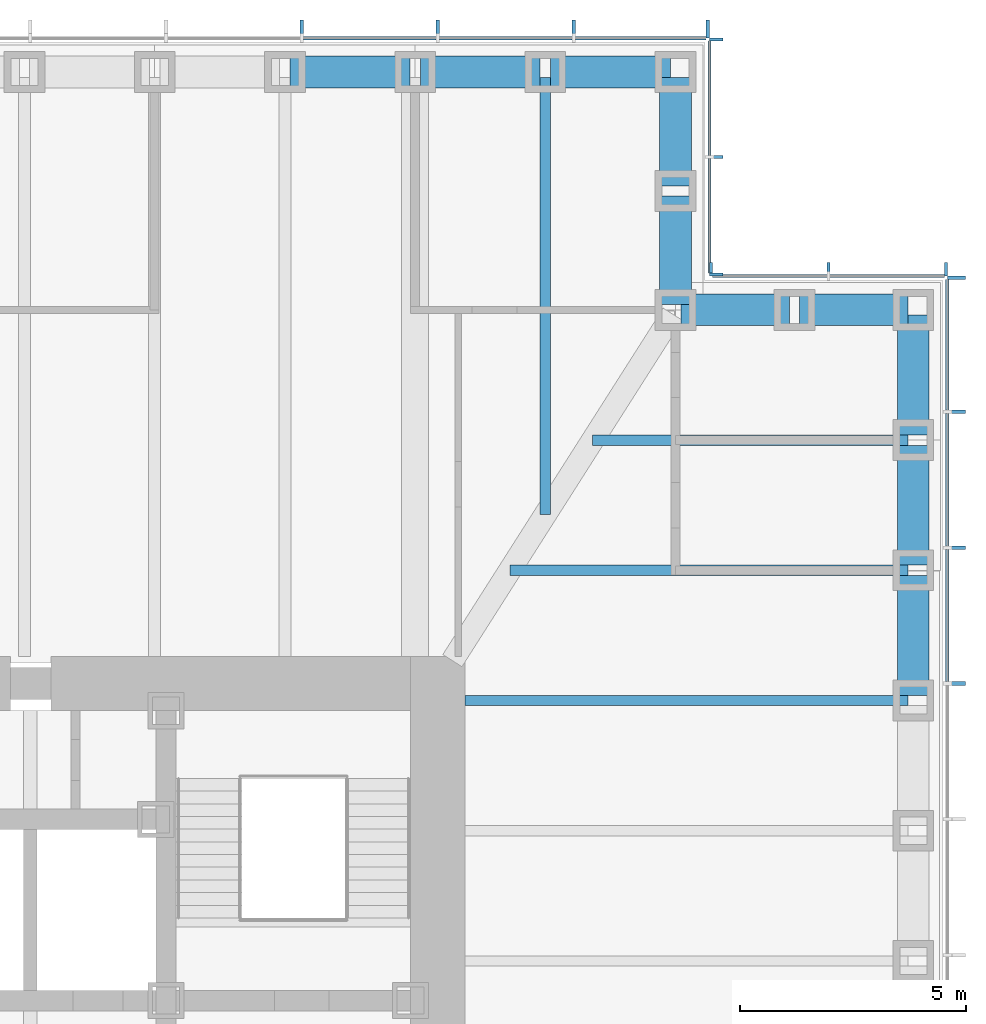
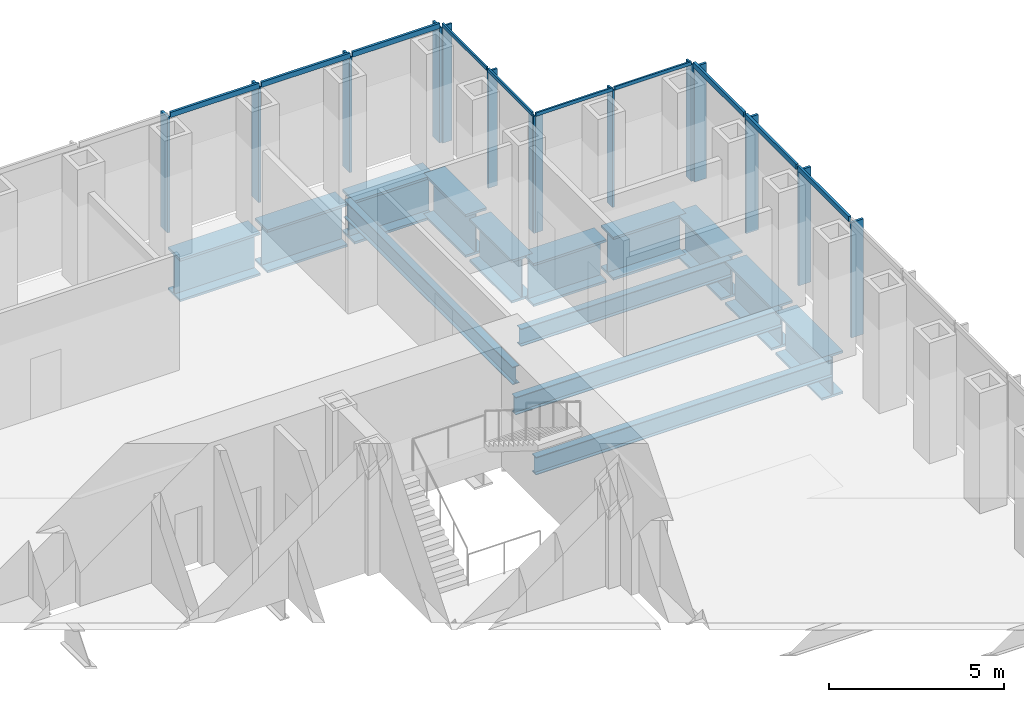
# One storey, part 6 of 17: 24 members, 14 beams, 4 elements without a shape of their own.
"""IFC4 building model written with IfcOpenShell, lengths in metres."""

from ifc_helpers import new_model, si_unit, direction, frame, origin, origin_2d, place, context, subcontext, project, spatial, rectangle, i_section, extrude, material, material_profile, profile_set, type_object, element, aggregate, save


model = new_model("IFC4")

# Units and contexts
model_context = context("Model", 3, precision=1e-05, world=origin(), true_north=direction((0.0, 1.0)))
body_context = subcontext(model_context, "Body", "Model", "MODEL_VIEW")
ifc_project = project(units=[si_unit("LENGTHUNIT", "METRE"), si_unit("AREAUNIT", "SQUARE_METRE"), si_unit("VOLUMEUNIT", "CUBIC_METRE"), si_unit("PLANEANGLEUNIT", "RADIAN"), si_unit("MASSUNIT", "GRAM", prefix="KILO")], contexts=[model_context])

# Site, building, storey
site_placement = place(None, origin())
site = spatial("IfcSite", under=ifc_project, at=site_placement, CompositionType="ELEMENT")
building_placement = place(site_placement, origin())
building = spatial("IfcBuilding", under=site, at=building_placement, Name="Daluyong Arena Tower", CompositionType="ELEMENT")
storey_placement = place(building_placement, frame((0.0, 0.0, 129.10009765625)))
storey = spatial("IfcBuildingStorey", under=building, at=storey_placement, Name="L28", CompositionType="ELEMENT", Elevation=129.10009765625)

# Curtain wall, members
ifc_material_1 = material(Name="Bronze anodised aluminium and glass", Category="aluminium")
curtain_wall_type_1 = type_object("IfcCurtainWallType", Name="Curtain wall CW2", PredefinedType="USERDEFINED", material=ifc_material_1)
curtain_wall_1_placement = place(storey_placement, origin())
curtain_wall_1 = element("IfcCurtainWall", 1, at=curtain_wall_1_placement, inside=storey, type_object=curtain_wall_type_1, Name="curtain wall L28 E", ObjectType="UNITISED CURTAIN WALL", PredefinedType="USERDEFINED")
ifc_material_2 = material(Name="Bronze anodised aluminium fin", Category="aluminium")
ifc_material_profile_1 = material_profile(ifc_material_2, rectangle(XDim=0.39990234375, YDim=0.080078125, at=origin_2d()))
ifc_profile_set_1 = profile_set([ifc_material_profile_1], Name="Bronze anodised aluminium fin")
member_type_1 = type_object("IfcMemberType", Name="CW2 bronze fin 400x80", PredefinedType="MULLION", material=ifc_profile_set_1)
member_1_placement = place(storey_placement, frame((79.449951171875, 89.0, 0.0), z_axis=(0.0, 0.0, 1.0), x_axis=(-1.0, 0.0, 0.0)))
member_1 = element("IfcMember", 2, at=member_1_placement, type_object=member_type_1, Name="curtain wall L28 E fin 10", PredefinedType="MULLION", context=body_context, shape_type="SweptSolid", body=[
    extrude(rectangle(XDim=0.39990234375, YDim=0.080078125, at=origin_2d()), origin(), (0.0, 0.0, 1.0), 4.02001953125),
])
member_2_placement = place(storey_placement, frame((79.449951171875, 92.0, 0.0), z_axis=(0.0, 0.0, 1.0), x_axis=(-1.0, 0.0, 0.0)))
member_2 = element("IfcMember", 3, at=member_2_placement, type_object=member_type_1, Name="curtain wall L28 E fin 11", PredefinedType="MULLION", context=body_context, shape_type="SweptSolid", body=[
    extrude(rectangle(XDim=0.39990234375, YDim=0.080078125, at=origin_2d()), origin(), (0.0, 0.0, 1.0), 4.02001953125),
])
member_3_placement = place(storey_placement, frame((79.449951171875, 95.0, 0.0), z_axis=(0.0, 0.0, 1.0), x_axis=(-1.0, 0.0, 0.0)))
member_3 = element("IfcMember", 4, at=member_3_placement, type_object=member_type_1, Name="curtain wall L28 E fin 12", PredefinedType="MULLION", context=body_context, shape_type="SweptSolid", body=[
    extrude(rectangle(XDim=0.39990234375, YDim=0.080078125, at=origin_2d()), origin(), (0.0, 0.0, 1.0), 4.02001953125),
])
member_4_placement = place(storey_placement, frame((79.449951171875, 97.9599609375, 0.0), z_axis=(0.0, 0.0, 1.0), x_axis=(-1.0, 0.0, 0.0)))
member_4 = element("IfcMember", 5, at=member_4_placement, type_object=member_type_1, Name="curtain wall L28 E fin 13", PredefinedType="MULLION", context=body_context, shape_type="SweptSolid", body=[
    extrude(rectangle(XDim=0.39990234375, YDim=0.080078125, at=origin_2d()), origin(), (0.0, 0.0, 1.0), 4.02001953125),
])

curtain_wall_2_placement = place(storey_placement, origin())
curtain_wall_2 = element("IfcCurtainWall", 6, at=curtain_wall_2_placement, inside=storey, type_object=curtain_wall_type_1, Name="curtain wall L28 N", ObjectType="UNITISED CURTAIN WALL", PredefinedType="USERDEFINED")
member_5_placement = place(storey_placement, frame((73.9599609375, 103.449951171875, 0.0), z_axis=(0.0, 0.0, 1.0), x_axis=(0.0, -1.0, 0.0)))
member_5 = element("IfcMember", 7, at=member_5_placement, type_object=member_type_1, Name="curtain wall L28 N fin 1", PredefinedType="MULLION", context=body_context, shape_type="SweptSolid", body=[
    extrude(rectangle(XDim=0.39990234375, YDim=0.080078125, at=origin_2d()), origin(), (0.0, 0.0, 1.0), 4.02001953125),
])
member_6_placement = place(storey_placement, frame((71.0, 103.449951171875, 0.0), z_axis=(0.0, 0.0, 1.0), x_axis=(0.0, -1.0, 0.0)))
member_6 = element("IfcMember", 8, at=member_6_placement, type_object=member_type_1, Name="curtain wall L28 N fin 2", PredefinedType="MULLION", context=body_context, shape_type="SweptSolid", body=[
    extrude(rectangle(XDim=0.39990234375, YDim=0.080078125, at=origin_2d()), origin(), (0.0, 0.0, 1.0), 4.02001953125),
])
member_7_placement = place(storey_placement, frame((68.0, 103.449951171875, 0.0), z_axis=(0.0, 0.0, 1.0), x_axis=(0.0, -1.0, 0.0)))
member_7 = element("IfcMember", 9, at=member_7_placement, type_object=member_type_1, Name="curtain wall L28 N fin 3", PredefinedType="MULLION", context=body_context, shape_type="SweptSolid", body=[
    extrude(rectangle(XDim=0.39990234375, YDim=0.080078125, at=origin_2d()), origin(), (0.0, 0.0, 1.0), 4.02001953125),
])
member_8_placement = place(storey_placement, frame((65.0, 103.449951171875, 0.0), z_axis=(0.0, 0.0, 1.0), x_axis=(0.0, -1.0, 0.0)))
member_8 = element("IfcMember", 10, at=member_8_placement, type_object=member_type_1, Name="curtain wall L28 N fin 4", PredefinedType="MULLION", context=body_context, shape_type="SweptSolid", body=[
    extrude(rectangle(XDim=0.39990234375, YDim=0.080078125, at=origin_2d()), origin(), (0.0, 0.0, 1.0), 4.02001953125),
])

# Member
ifc_material_3 = material(Name="Bronze anodised aluminium", Category="aluminium")
ifc_material_profile_2 = material_profile(ifc_material_3, rectangle(XDim=0.080078125, YDim=0.179931640625, at=origin_2d()))
ifc_profile_set_2 = profile_set([ifc_material_profile_2], Name="Bronze anodised aluminium")
member_type_2 = type_object("IfcMemberType", Name="CW2 stack transom 180x80", PredefinedType="USERDEFINED", material=ifc_profile_set_2)
member_9_placement = place(storey_placement, frame((79.25, 89.0400390625, 4.10986328125), z_axis=(0.0, 1.0, 0.0), x_axis=(-1.0, 0.0, 0.0)))
member_9 = element("IfcMember", 11, at=member_9_placement, type_object=member_type_2, Name="curtain wall L28 E transom 10", ObjectType="TRANSOM", PredefinedType="USERDEFINED", context=body_context, shape_type="SweptSolid", body=[
    extrude(rectangle(XDim=0.080078125, YDim=0.179931640625, at=origin_2d()), origin(), (0.0, 0.0, 1.0), 2.919921875),
])

member_10_placement = place(storey_placement, frame((79.25, 92.0400390625, 4.10986328125), z_axis=(0.0, 1.0, 0.0), x_axis=(-1.0, 0.0, 0.0)))
member_10 = element("IfcMember", 12, at=member_10_placement, type_object=member_type_2, Name="curtain wall L28 E transom 11", ObjectType="TRANSOM", PredefinedType="USERDEFINED", context=body_context, shape_type="SweptSolid", body=[
    extrude(rectangle(XDim=0.080078125, YDim=0.179931640625, at=origin_2d()), origin(), (0.0, 0.0, 1.0), 2.919921875),
])

member_11_placement = place(storey_placement, frame((79.25, 95.0400390625, 4.10986328125), z_axis=(0.0, 1.0, 0.0), x_axis=(-1.0, 0.0, 0.0)))
member_11 = element("IfcMember", 13, at=member_11_placement, type_object=member_type_2, Name="curtain wall L28 E transom 12", ObjectType="TRANSOM", PredefinedType="USERDEFINED", context=body_context, shape_type="SweptSolid", body=[
    extrude(rectangle(XDim=0.080078125, YDim=0.179931640625, at=origin_2d()), origin(), (0.0, 0.0, 1.0), 2.8798828125),
])

aggregate(curtain_wall_1, [member_1, member_2, member_3, member_4, member_9, member_10, member_11])

member_12_placement = place(storey_placement, frame((73.919921875, 103.25, 4.10986328125), z_axis=(-1.0, 0.0, 0.0), x_axis=(0.0, -1.0, 0.0)))
member_12 = element("IfcMember", 14, at=member_12_placement, type_object=member_type_2, Name="curtain wall L28 N transom 1", ObjectType="TRANSOM", PredefinedType="USERDEFINED", context=body_context, shape_type="SweptSolid", body=[
    extrude(rectangle(XDim=0.080078125, YDim=0.179931640625, at=origin_2d()), origin(), (0.0, 0.0, 1.0), 2.8798828125),
])

member_13_placement = place(storey_placement, frame((70.9599609375, 103.25, 4.10986328125), z_axis=(-1.0, 0.0, 0.0), x_axis=(0.0, -1.0, 0.0)))
member_13 = element("IfcMember", 15, at=member_13_placement, type_object=member_type_2, Name="curtain wall L28 N transom 2", ObjectType="TRANSOM", PredefinedType="USERDEFINED", context=body_context, shape_type="SweptSolid", body=[
    extrude(rectangle(XDim=0.080078125, YDim=0.179931640625, at=origin_2d()), origin(), (0.0, 0.0, 1.0), 2.919921875),
])

member_14_placement = place(storey_placement, frame((67.9599609375, 103.25, 4.10986328125), z_axis=(-1.0, 0.0, 0.0), x_axis=(0.0, -1.0, 0.0)))
member_14 = element("IfcMember", 16, at=member_14_placement, type_object=member_type_2, Name="curtain wall L28 N transom 3", ObjectType="TRANSOM", PredefinedType="USERDEFINED", context=body_context, shape_type="SweptSolid", body=[
    extrude(rectangle(XDim=0.080078125, YDim=0.179931640625, at=origin_2d()), origin(), (0.0, 0.0, 1.0), 2.919921875),
])

aggregate(curtain_wall_2, [member_5, member_6, member_7, member_8, member_12, member_13, member_14])

# Curtain wall, members
ifc_material_4 = material(Name="Bronze anodised aluminium and glass", Category="aluminium")
curtain_wall_type_2 = type_object("IfcCurtainWallType", Name="Curtain wall CW7", PredefinedType="USERDEFINED", material=ifc_material_4)
curtain_wall_3_placement = place(storey_placement, origin())
curtain_wall_3 = element("IfcCurtainWall", 17, at=curtain_wall_3_placement, inside=storey, type_object=curtain_wall_type_2, Name="curtain wall L28 NE-N", ObjectType="UNITISED CURTAIN WALL", PredefinedType="USERDEFINED")
ifc_material_5 = material(Name="Bronze anodised aluminium fin", Category="aluminium")
ifc_material_profile_3 = material_profile(ifc_material_5, rectangle(XDim=0.300048828125, YDim=0.06005859375, at=origin_2d()))
ifc_profile_set_3 = profile_set([ifc_material_profile_3], Name="Bronze anodised aluminium fin")
member_type_3 = type_object("IfcMemberType", Name="CW7 bronze fin 300x60", PredefinedType="MULLION", material=ifc_profile_set_3)
member_15_placement = place(storey_placement, frame((79.219970703125, 98.14990234375, 0.0), z_axis=(0.0, 0.0, 1.0), x_axis=(0.0, -1.0, 0.0)))
member_15 = element("IfcMember", 18, at=member_15_placement, type_object=member_type_3, Name="curtain wall L28 NE-N fin 1", PredefinedType="MULLION", context=body_context, shape_type="SweptSolid", body=[
    extrude(rectangle(XDim=0.300048828125, YDim=0.06005859375, at=origin_2d()), origin(), (0.0, 0.0, 1.0), 4.079833984375),
])
member_16_placement = place(storey_placement, frame((76.625, 98.14990234375, 0.0), z_axis=(0.0, 0.0, 1.0), x_axis=(0.0, -1.0, 0.0)))
member_16 = element("IfcMember", 19, at=member_16_placement, type_object=member_type_3, Name="curtain wall L28 NE-N fin 2", PredefinedType="MULLION", context=body_context, shape_type="SweptSolid", body=[
    extrude(rectangle(XDim=0.300048828125, YDim=0.06005859375, at=origin_2d()), origin(), (0.0, 0.0, 1.0), 4.079833984375),
])
member_17_placement = place(storey_placement, frame((74.030029296875, 98.14990234375, 0.0), z_axis=(0.0, 0.0, 1.0), x_axis=(0.0, -1.0, 0.0)))
member_17 = element("IfcMember", 20, at=member_17_placement, type_object=member_type_3, Name="curtain wall L28 NE-N fin 3", PredefinedType="MULLION", context=body_context, shape_type="SweptSolid", body=[
    extrude(rectangle(XDim=0.300048828125, YDim=0.06005859375, at=origin_2d()), origin(), (0.0, 0.0, 1.0), 4.079833984375),
])

curtain_wall_4_placement = place(storey_placement, origin())
curtain_wall_4 = element("IfcCurtainWall", 21, at=curtain_wall_4_placement, inside=storey, type_object=curtain_wall_type_2, Name="curtain wall L28 NE-E", ObjectType="UNITISED CURTAIN WALL", PredefinedType="USERDEFINED")
member_18_placement = place(storey_placement, frame((74.14990234375, 98.030029296875, 0.0), z_axis=(0.0, 0.0, 1.0), x_axis=(-1.0, 0.0, 0.0)))
member_18 = element("IfcMember", 22, at=member_18_placement, type_object=member_type_3, Name="curtain wall L28 NE-E fin 1", PredefinedType="MULLION", context=body_context, shape_type="SweptSolid", body=[
    extrude(rectangle(XDim=0.300048828125, YDim=0.06005859375, at=origin_2d()), origin(), (0.0, 0.0, 1.0), 4.079833984375),
])
member_19_placement = place(storey_placement, frame((74.14990234375, 100.625, 0.0), z_axis=(0.0, 0.0, 1.0), x_axis=(-1.0, 0.0, 0.0)))
member_19 = element("IfcMember", 23, at=member_19_placement, type_object=member_type_3, Name="curtain wall L28 NE-E fin 2", PredefinedType="MULLION", context=body_context, shape_type="SweptSolid", body=[
    extrude(rectangle(XDim=0.300048828125, YDim=0.06005859375, at=origin_2d()), origin(), (0.0, 0.0, 1.0), 4.079833984375),
])
member_20_placement = place(storey_placement, frame((74.14990234375, 103.219970703125, 0.0), z_axis=(0.0, 0.0, 1.0), x_axis=(-1.0, 0.0, 0.0)))
member_20 = element("IfcMember", 24, at=member_20_placement, type_object=member_type_3, Name="curtain wall L28 NE-E fin 3", PredefinedType="MULLION", context=body_context, shape_type="SweptSolid", body=[
    extrude(rectangle(XDim=0.300048828125, YDim=0.06005859375, at=origin_2d()), origin(), (0.0, 0.0, 1.0), 4.079833984375),
])

# Member
ifc_material_6 = material(Name="Bronze anodised aluminium", Category="aluminium")
ifc_material_profile_4 = material_profile(ifc_material_6, rectangle(XDim=0.06005859375, YDim=0.1201171875, at=origin_2d()))
ifc_profile_set_4 = profile_set([ifc_material_profile_4], Name="Bronze anodised aluminium")
member_type_4 = type_object("IfcMemberType", Name="CW7 stack transom 120x60", PredefinedType="USERDEFINED", material=ifc_profile_set_4)
member_21_placement = place(storey_placement, frame((79.18994140625, 98.0, 4.139892578125), z_axis=(-1.0, 0.0, 0.0), x_axis=(0.0, -1.0, 0.0)))
member_21 = element("IfcMember", 25, at=member_21_placement, type_object=member_type_4, Name="curtain wall L28 NE-N transom 1", ObjectType="TRANSOM", PredefinedType="USERDEFINED", context=body_context, shape_type="SweptSolid", body=[
    extrude(rectangle(XDim=0.06005859375, YDim=0.1201171875, at=origin_2d()), origin(), (0.0, 0.0, 1.0), 2.534912109375),
])

member_22_placement = place(storey_placement, frame((76.594970703125, 98.0, 4.139892578125), z_axis=(-1.0, 0.0, 0.0), x_axis=(0.0, -1.0, 0.0)))
member_22 = element("IfcMember", 26, at=member_22_placement, type_object=member_type_4, Name="curtain wall L28 NE-N transom 2", ObjectType="TRANSOM", PredefinedType="USERDEFINED", context=body_context, shape_type="SweptSolid", body=[
    extrude(rectangle(XDim=0.06005859375, YDim=0.1201171875, at=origin_2d()), origin(), (0.0, 0.0, 1.0), 2.534912109375),
])

aggregate(curtain_wall_3, [member_15, member_16, member_17, member_21, member_22])

member_23_placement = place(storey_placement, frame((74.0, 98.06005859375, 4.139892578125), z_axis=(0.0, 1.0, 0.0), x_axis=(-1.0, 0.0, 0.0)))
member_23 = element("IfcMember", 27, at=member_23_placement, type_object=member_type_4, Name="curtain wall L28 NE-E transom 1", ObjectType="TRANSOM", PredefinedType="USERDEFINED", context=body_context, shape_type="SweptSolid", body=[
    extrude(rectangle(XDim=0.06005859375, YDim=0.1201171875, at=origin_2d()), origin(), (0.0, 0.0, 1.0), 2.534912109375),
])

member_24_placement = place(storey_placement, frame((74.0, 100.655029296875, 4.139892578125), z_axis=(0.0, 1.0, 0.0), x_axis=(-1.0, 0.0, 0.0)))
member_24 = element("IfcMember", 28, at=member_24_placement, type_object=member_type_4, Name="curtain wall L28 NE-E transom 2", ObjectType="TRANSOM", PredefinedType="USERDEFINED", context=body_context, shape_type="SweptSolid", body=[
    extrude(rectangle(XDim=0.06005859375, YDim=0.1201171875, at=origin_2d()), origin(), (0.0, 0.0, 1.0), 2.534912109375),
])

aggregate(curtain_wall_4, [member_18, member_19, member_20, member_23, member_24])

# Beams
ifc_material_7 = material(Name="Steel ASTM A992 Grade 50", Category="steel")
ifc_material_profile_5 = material_profile(ifc_material_7, i_section(OverallWidth=0.22900390625, OverallDepth=0.612060546875, WebThickness=0.011962890625, FlangeThickness=0.01953125, at=origin_2d()))
ifc_profile_set_5 = profile_set([ifc_material_profile_5], Name="Steel ASTM A992 Grade 50")
beam_type_1 = type_object("IfcBeamType", Name="Floor beam W24X84", PredefinedType="BEAM", material=ifc_profile_set_5)
beam_1_placement = place(storey_placement, frame((78.385009765625, 88.625, -0.466064453125), z_axis=(-1.0, 0.0, 0.0), x_axis=(0.0, -1.0, 0.0)))
element("IfcBeam", 29, at=beam_1_placement, inside=storey, type_object=beam_type_1, Name="floor beam FB3", PredefinedType="BEAM", context=body_context, shape_type="SweptSolid", body=[
    extrude(i_section(OverallWidth=0.22900390625, OverallDepth=0.612060546875, WebThickness=0.011962890625, FlangeThickness=0.01953125, at=origin_2d()), origin(), (0.0, 0.0, 1.0), 9.784912109375),
])
beam_2_placement = place(storey_placement, frame((78.385009765625, 91.5, -0.466064453125), z_axis=(-1.0, 0.0, 0.0), x_axis=(0.0, -1.0, 0.0)))
element("IfcBeam", 30, at=beam_2_placement, inside=storey, type_object=beam_type_1, Name="floor beam FB3", PredefinedType="BEAM", context=body_context, shape_type="SweptSolid", body=[
    extrude(i_section(OverallWidth=0.22900390625, OverallDepth=0.612060546875, WebThickness=0.011962890625, FlangeThickness=0.01953125, at=origin_2d()), origin(), (0.0, 0.0, 1.0), 8.794189453125),
])
beam_3_placement = place(storey_placement, frame((78.385009765625, 94.375, -0.466064453125), z_axis=(-1.0, 0.0, 0.0), x_axis=(0.0, -1.0, 0.0)))
element("IfcBeam", 31, at=beam_3_placement, inside=storey, type_object=beam_type_1, Name="floor beam FB3", PredefinedType="BEAM", context=body_context, shape_type="SweptSolid", body=[
    extrude(i_section(OverallWidth=0.22900390625, OverallDepth=0.612060546875, WebThickness=0.011962890625, FlangeThickness=0.01953125, at=origin_2d()), origin(), (0.0, 0.0, 1.0), 6.964599609375),
])
beam_4_placement = place(storey_placement, frame((70.375, 102.385009765625, -0.466064453125), z_axis=(0.0, -1.0, 0.0), x_axis=(1.0, 0.0, 0.0)))
element("IfcBeam", 32, at=beam_4_placement, inside=storey, type_object=beam_type_1, Name="floor beam FB3", PredefinedType="BEAM", context=body_context, shape_type="SweptSolid", body=[
    extrude(i_section(OverallWidth=0.22900390625, OverallDepth=0.612060546875, WebThickness=0.011962890625, FlangeThickness=0.01953125, at=origin_2d()), origin(), (0.0, 0.0, 1.0), 9.65283203125),
])
ifc_material_8 = material(Name="Steel ASTM A572 Grade 50", Category="steel")
ifc_material_profile_6 = material_profile(ifc_material_8, i_section(OverallWidth=0.699951171875, OverallDepth=1.5, WebThickness=0.04, FlangeThickness=0.08, at=origin_2d()))
ifc_profile_set_6 = profile_set([ifc_material_profile_6], Name="Steel ASTM A572 Grade 50")
beam_type_2 = type_object("IfcBeamType", Name="Spandrel Z2 PG1500X700", PredefinedType="SPANDREL", material=ifc_profile_set_6)
for number, where, z_axis, x_axis, name in (
    (33, (78.5, 88.739990234375, -0.91015625), (0.0, 1.0, 0.0), (-1.0, 0.0, 0.0), "spandrel z2 SB6"),
    (34, (78.5, 91.614990234375, -0.91015625), (0.0, 1.0, 0.0), (-1.0, 0.0, 0.0), "spandrel z2 SB6"),
    (35, (78.5, 94.489990234375, -0.91015625), (0.0, 1.0, 0.0), (-1.0, 0.0, 0.0), "spandrel z2 SB6"),
):
    element("IfcBeam", number, at=place(storey_placement, frame(where, z_axis=z_axis, x_axis=x_axis)), inside=storey, type_object=beam_type_2, Name=name, PredefinedType="SPANDREL", context=body_context, shape_type="SweptSolid", body=[
        extrude(i_section(OverallWidth=0.699951171875, OverallDepth=1.5, WebThickness=0.04, FlangeThickness=0.08, at=origin_2d()), origin(), (0.0, 0.0, 1.0), 2.64501953125),
    ])
for number, where, z_axis, x_axis, name in (
    (36, (78.385009765625, 97.25, -0.91015625), (-1.0, 0.0, 0.0), (0.0, -1.0, 0.0), "spandrel z2 SB6"),
    (37, (75.760009765625, 97.25, -0.91015625), (-1.0, 0.0, 0.0), (0.0, -1.0, 0.0), "spandrel z2 SB6"),
    (38, (73.25, 97.364990234375, -0.91015625), (0.0, 1.0, 0.0), (-1.0, 0.0, 0.0), "spandrel z2 SB6"),
    (39, (73.25, 99.989990234375, -0.91015625), (0.0, 1.0, 0.0), (-1.0, 0.0, 0.0), "spandrel z2 SB6"),
):
    element("IfcBeam", number, at=place(storey_placement, frame(where, z_axis=z_axis, x_axis=x_axis)), inside=storey, type_object=beam_type_2, Name=name, PredefinedType="SPANDREL", context=body_context, shape_type="SweptSolid", body=[
        extrude(i_section(OverallWidth=0.699951171875, OverallDepth=1.5, WebThickness=0.04, FlangeThickness=0.08, at=origin_2d()), origin(), (0.0, 0.0, 1.0), 2.39501953125),
    ])
for number, where, z_axis, x_axis, name in (
    (40, (73.135009765625, 102.5, -0.91015625), (-1.0, 0.0, 0.0), (0.0, -1.0, 0.0), "spandrel z2 SB6"),
    (41, (70.260009765625, 102.5, -0.91015625), (-1.0, 0.0, 0.0), (0.0, -1.0, 0.0), "spandrel z2 SB6"),
    (42, (67.385009765625, 102.5, -0.91015625), (-1.0, 0.0, 0.0), (0.0, -1.0, 0.0), "spandrel z2 SB6"),
):
    element("IfcBeam", number, at=place(storey_placement, frame(where, z_axis=z_axis, x_axis=x_axis)), inside=storey, type_object=beam_type_2, Name=name, PredefinedType="SPANDREL", context=body_context, shape_type="SweptSolid", body=[
        extrude(i_section(OverallWidth=0.699951171875, OverallDepth=1.5, WebThickness=0.04, FlangeThickness=0.08, at=origin_2d()), origin(), (0.0, 0.0, 1.0), 2.64501953125),
    ])

save(model, "model.ifc")
